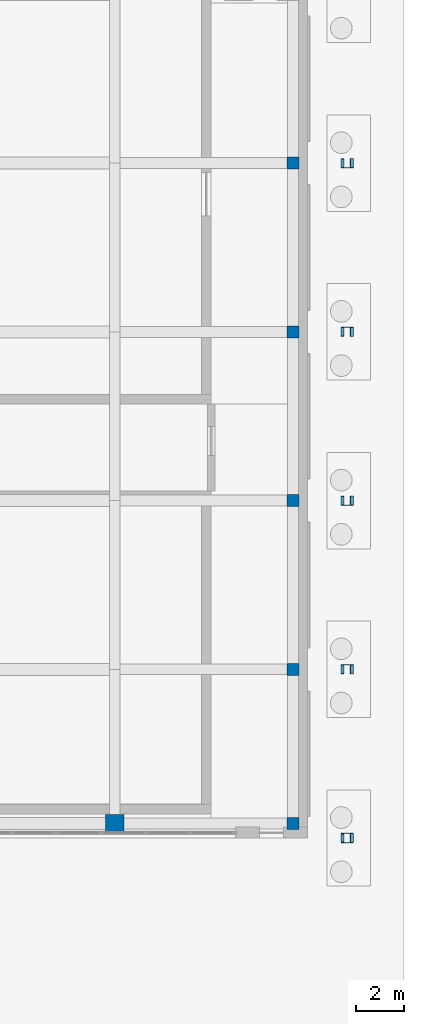
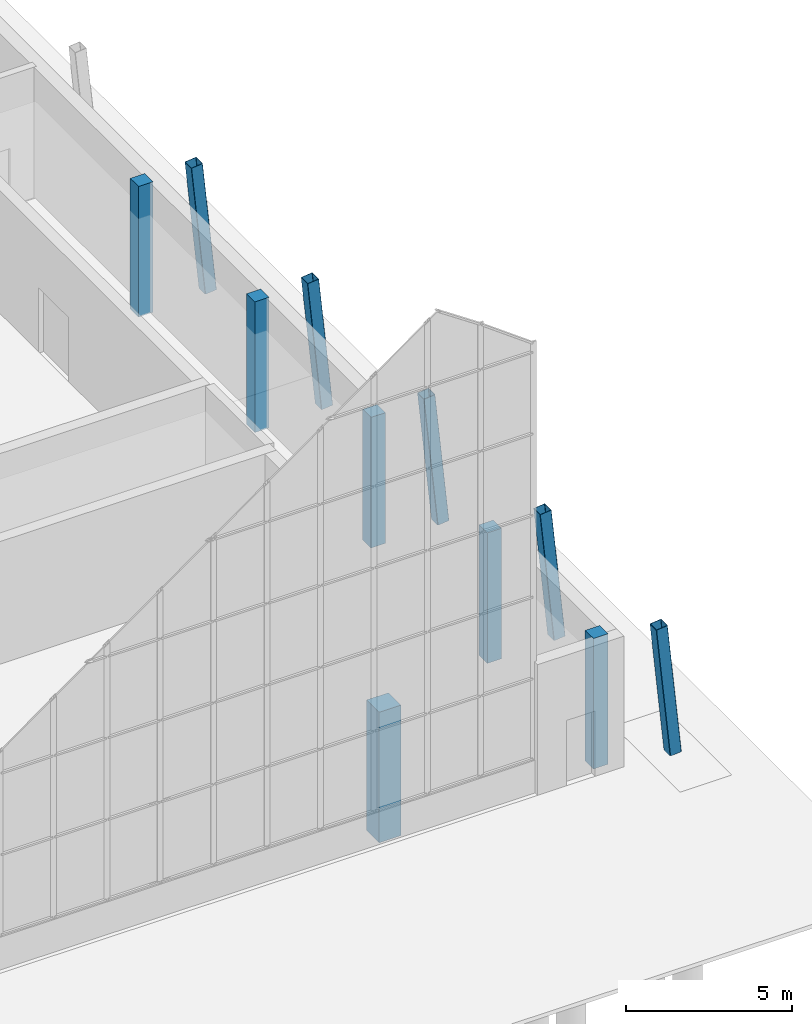
# One storey, part 14 of 144: 11 columns.
"""IFC4 building model written with IfcOpenShell, lengths in metres."""

from ifc_helpers import new_model, si_unit, direction, frame, origin, origin_2d, place, context, subcontext, project, spatial, rectangle, hollow_rectangle, extrude, material, material_profile, profile_set, type_object, element, save


model = new_model("IFC4")

# Units and contexts
model_context = context("Model", 3, precision=1e-05, world=origin(), true_north=direction((0.0, 1.0)))
body_context = subcontext(model_context, "Body", "Model", "MODEL_VIEW")
ifc_project = project(units=[si_unit("LENGTHUNIT", "METRE"), si_unit("AREAUNIT", "SQUARE_METRE"), si_unit("VOLUMEUNIT", "CUBIC_METRE"), si_unit("PLANEANGLEUNIT", "RADIAN"), si_unit("MASSUNIT", "GRAM", prefix="KILO")], contexts=[model_context])

# Site, building, storey
site_placement = place(None, origin())
site = spatial("IfcSite", under=ifc_project, at=site_placement, CompositionType="ELEMENT")
building_placement = place(site_placement, origin())
building = spatial("IfcBuilding", under=site, at=building_placement, Name="Lantern Court Media Centre", CompositionType="ELEMENT")
storey_placement = place(building_placement, origin())
storey = spatial("IfcBuildingStorey", under=building, at=storey_placement, Name="L00", CompositionType="ELEMENT", Elevation=0.0)

# Columns
ifc_material_1 = material(Name="Concrete C35", Category="concrete")
ifc_material_profile_1 = material_profile(ifc_material_1, rectangle(XDim=0.5, YDim=0.5, at=origin_2d()), Name="RC 500x500")
ifc_profile_set_1 = profile_set([ifc_material_profile_1], Name="Concrete C35")
column_type_1 = type_object("IfcColumnType", Name="RC COLUMN 500x500", PredefinedType="COLUMN", material=ifc_profile_set_1)
for number, where, z_axis, x_axis, name in (
    (1, (103.39990234375, -1.39990234375, 0.0), (0.0, 0.0, 1.0), (1.0, 0.0, 0.0), "C-V2-4-0-L00"),
    (2, (103.39990234375, 5.0, 0.0), (0.0, 0.0, 1.0), (1.0, 0.0, 0.0), "C-V2-4-1-L00"),
    (3, (103.39990234375, 12.0, 0.0), (0.0, 0.0, 1.0), (1.0, 0.0, 0.0), "C-V2-4-2-L00"),
    (4, (103.39990234375, 19.0, 0.0), (0.0, 0.0, 1.0), (1.0, 0.0, 0.0), "C-V2-4-3-L00"),
    (5, (103.39990234375, 26.0, 0.0), (0.0, 0.0, 1.0), (1.0, 0.0, 0.0), "C-V2-4-4-L00"),
):
    element("IfcColumn", number, at=place(storey_placement, frame(where, z_axis=z_axis, x_axis=x_axis)), inside=storey, type_object=column_type_1, Name=name, PredefinedType="COLUMN", context=body_context, shape_type="SweptSolid", body=[
        extrude(rectangle(XDim=0.5, YDim=0.5, at=origin_2d()), origin(), (0.0, 0.0, 1.0), 4.800048828125),
    ])
ifc_material_profile_2 = material_profile(ifc_material_1, rectangle(XDim=0.75, YDim=0.75, at=origin_2d()), Name="RC 750x750")
ifc_profile_set_2 = profile_set([ifc_material_profile_2], Name="Concrete C35")
column_type_2 = type_object("IfcColumnType", Name="RC COLUMN 750x750", PredefinedType="COLUMN", material=ifc_profile_set_2)
column_1_placement = place(storey_placement, frame((96.0, -1.39990234375, 0.0), z_axis=(0.0, 0.0, 1.0), x_axis=(1.0, 0.0, 0.0)))
element("IfcColumn", 6, at=column_1_placement, inside=storey, type_object=column_type_2, Name="C-V2-3-0-L00", PredefinedType="COLUMN", context=body_context, shape_type="SweptSolid", body=[
    extrude(rectangle(XDim=0.75, YDim=0.75, at=origin_2d()), origin(), (0.0, 0.0, 1.0), 4.800048828125),
])
ifc_material_2 = material(Name="Steel S355J2 (EN 10025-2)", Category="steel")
ifc_material_profile_3 = material_profile(ifc_material_2, hollow_rectangle(XDim=0.39990234375, YDim=0.39990234375, WallThickness=0.012451171875, InnerFilletRadius=0.012451171875, OuterFilletRadius=0.018798828125, at=origin_2d()), Name="Studio Hall buttress column SHS 400x12.5")
ifc_profile_set_3 = profile_set([ifc_material_profile_3], Name="Steel S355J2 (EN 10025-2)")
column_type_3 = type_object("IfcColumnType", Name="Studio Hall buttress column SHS 400x12.5", PredefinedType="COLUMN", material=ifc_profile_set_3)
for number, where, z_axis, x_axis, name in (
    (7, (105.699951171875, 5.0, 0.0), (-0.100901453218, 0.0, 0.994896425131), (0.0, -1.0, 0.0), "Studio Hall buttress east 2"),
    (8, (105.699951171875, 12.0, 0.0), (-0.100901453218, 0.0, 0.994896425131), (0.0, -1.0, 0.0), "Studio Hall buttress east 3"),
    (9, (105.699951171875, 19.0, 0.0), (-0.100901453218, 0.0, 0.994896425131), (0.0, -1.0, 0.0), "Studio Hall buttress east 4"),
    (10, (105.699951171875, 26.0, 0.0), (-0.100901453218, 0.0, 0.994896425131), (0.0, -1.0, 0.0), "Studio Hall buttress east 5"),
):
    element("IfcColumn", number, at=place(storey_placement, frame(where, z_axis=z_axis, x_axis=x_axis)), inside=storey, type_object=column_type_3, Name=name, PredefinedType="COLUMN", context=body_context, shape_type="SweptSolid", body=[
        extrude(hollow_rectangle(XDim=0.39990234375, YDim=0.39990234375, WallThickness=0.012451171875, InnerFilletRadius=0.012451171875, OuterFilletRadius=0.018798828125, at=origin_2d()), origin(), (0.0, 0.0, 1.0), 4.82470703125),
    ])
ifc_material_profile_4 = material_profile(ifc_material_2, hollow_rectangle(XDim=0.39990234375, YDim=0.39990234375, WallThickness=0.01611328125, InnerFilletRadius=0.01611328125, OuterFilletRadius=0.02392578125, at=origin_2d()), Name="Studio Hall gable buttress column SHS 400x16")
ifc_profile_set_4 = profile_set([ifc_material_profile_4], Name="Steel S355J2 (EN 10025-2)")
column_type_4 = type_object("IfcColumnType", Name="Studio Hall gable buttress column SHS 400x16", PredefinedType="COLUMN", material=ifc_profile_set_4)
column_2_placement = place(storey_placement, frame((105.699951171875, -2.0, 0.0), z_axis=(-0.100901453218, 0.0, 0.994896425131), x_axis=(0.0, -1.0, 0.0)))
element("IfcColumn", 11, at=column_2_placement, inside=storey, type_object=column_type_4, Name="Studio Hall buttress east 1", PredefinedType="COLUMN", context=body_context, shape_type="SweptSolid", body=[
    extrude(hollow_rectangle(XDim=0.39990234375, YDim=0.39990234375, WallThickness=0.01611328125, InnerFilletRadius=0.01611328125, OuterFilletRadius=0.02392578125, at=origin_2d()), origin(), (0.0, 0.0, 1.0), 4.82470703125),
])

save(model, "model.ifc")
